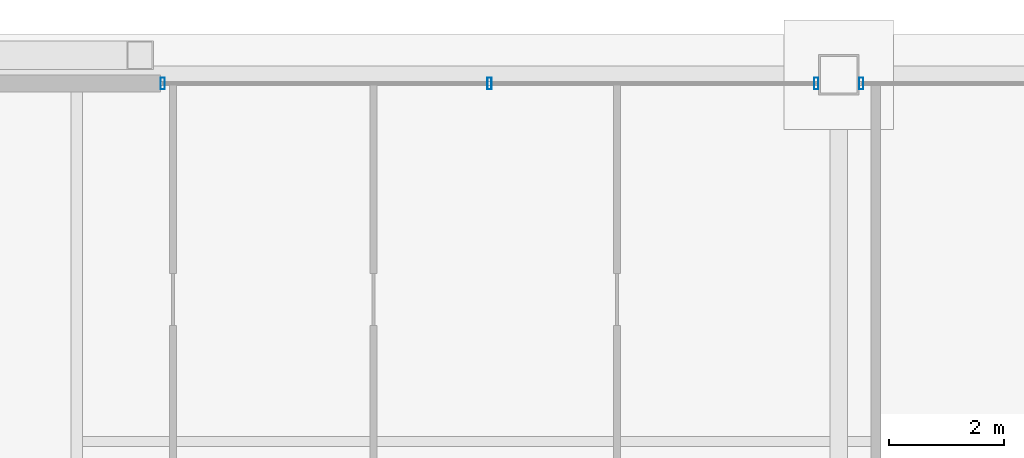
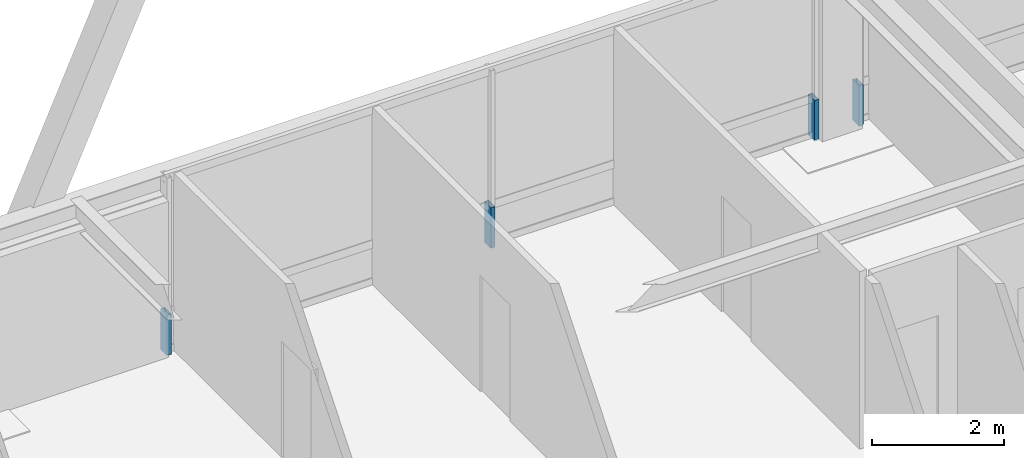
# One storey, part 27 of 35: 4 members, 2 elements without a shape of their own.
"""IFC4 building model written with IfcOpenShell, lengths in metres."""

from ifc_helpers import new_model, si_unit, direction, frame, origin, origin_2d, place, context, subcontext, project, spatial, hollow_rectangle, extrude, source, transform, mapped, material, layer, layer_set, material_profile, profile_set, type_object, element, aggregate, save


model = new_model("IFC4")

# Units and contexts
model_context = context("Model", 3, precision=1e-05, world=origin(), true_north=direction((0.0, 1.0)))
body_context = subcontext(model_context, "Body", "Model", "MODEL_VIEW")
ifc_project = project(units=[si_unit("LENGTHUNIT", "METRE"), si_unit("AREAUNIT", "SQUARE_METRE"), si_unit("VOLUMEUNIT", "CUBIC_METRE"), si_unit("PLANEANGLEUNIT", "RADIAN"), si_unit("MASSUNIT", "GRAM", prefix="KILO"), si_unit("THERMODYNAMICTEMPERATUREUNIT", "KELVIN"), si_unit("POWERUNIT", "WATT")], contexts=[model_context])

# Site, building, storey
site_placement = place(None, origin())
site = spatial("IfcSite", under=ifc_project, at=site_placement, CompositionType="ELEMENT")
building_placement = place(site_placement, origin())
building = spatial("IfcBuilding", under=site, at=building_placement, Name="Yuzanri Waterfront Tower", CompositionType="ELEMENT")
storey_placement = place(building_placement, frame((0.0, 0.0, 285.60009765625)))
storey = spatial("IfcBuildingStorey", under=building, at=storey_placement, Name="L76", CompositionType="ELEMENT", Elevation=285.60009765625)

# Curtain wall, members
ifc_material_1 = material(Name="Anodized Architectural Bronze", Category="metal")
ifc_layer = layer(ifc_material_1, 0.159912109375)
ifc_layer_set = layer_set([ifc_layer], Name="Anodized Architectural Bronze")
curtain_wall_type = type_object("IfcCurtainWallType", Name="Anodized Bronze High-Rise Penthouse High-Wind Unitized Curtain Wall 6900", PredefinedType="NOTDEFINED", material=ifc_layer_set)
curtain_wall_1_placement = place(storey_placement, origin())
curtain_wall_1 = element("IfcCurtainWall", 1, at=curtain_wall_1_placement, inside=storey, type_object=curtain_wall_type, Name="L76 Curtain Wall CW-L76-NL", PredefinedType="NOTDEFINED")
ifc_material_2 = material(Name="Anodized Architectural Bronze", Category="metal")
ifc_material_profile = material_profile(ifc_material_2, hollow_rectangle(XDim=0.074951171875, YDim=0.199951171875, WallThickness=0.00390625, at=origin_2d()), Name="CWM 75x200")
ifc_profile_set = profile_set([ifc_material_profile], Name="Anodized Architectural Bronze")
member_type = type_object("IfcMemberType", Name="Anodized Bronze Primary Curtain-Wall Mullion 75x200", PredefinedType="MULLION", material=ifc_profile_set)
shared_shape = source(origin(), body_context, "Body", "SweptSolid", [
    extrude(hollow_rectangle(XDim=0.074951171875, YDim=0.199951171875, WallThickness=0.00390625, at=origin_2d()), origin(), (0.0, 0.0, 1.0), 0.751953125),
])
member_1_placement = place(storey_placement, frame((25.2900390625, 44.75, 0.0), z_axis=(0.0, 0.0, 1.0), x_axis=(1.0, 0.0, 0.0)))
member_1 = element("IfcMember", 2, at=member_1_placement, type_object=member_type, Name="CW-L76-NL Lower Mullion 00", PredefinedType="MULLION", context=body_context, shape_type="MappedRepresentation", body=[
    mapped(shared_shape, transform((0.0, 0.0, 0.0), scale=1.0)),
])
member_2_placement = place(storey_placement, frame((30.949951171875, 44.75, 0.0), z_axis=(0.0, 0.0, 1.0), x_axis=(1.0, 0.0, 0.0)))
member_2 = element("IfcMember", 3, at=member_2_placement, type_object=member_type, Name="CW-L76-NL Lower Mullion 01", PredefinedType="MULLION", context=body_context, shape_type="MappedRepresentation", body=[
    mapped(shared_shape, transform((0.0, 0.0, 0.0), scale=1.0)),
])
member_3_placement = place(storey_placement, frame((36.610107421875, 44.75, 0.0), z_axis=(0.0, 0.0, 1.0), x_axis=(1.0, 0.0, 0.0)))
member_3 = element("IfcMember", 4, at=member_3_placement, type_object=member_type, Name="CW-L76-NL Lower Mullion 02", PredefinedType="MULLION", context=body_context, shape_type="MappedRepresentation", body=[
    mapped(shared_shape, transform((0.0, 0.0, 0.0), scale=1.0)),
])
aggregate(curtain_wall_1, [member_1, member_2, member_3])

# Curtain wall, member
curtain_wall_2_placement = place(storey_placement, origin())
curtain_wall_2 = element("IfcCurtainWall", 5, at=curtain_wall_2_placement, inside=storey, type_object=curtain_wall_type, Name="L76 Curtain Wall CW-L76-NR", PredefinedType="NOTDEFINED")
member_4_placement = place(storey_placement, frame((37.389892578125, 44.75, 0.0), z_axis=(0.0, 0.0, 1.0), x_axis=(1.0, 0.0, 0.0)))
member_4 = element("IfcMember", 6, at=member_4_placement, type_object=member_type, Name="CW-L76-NR Lower Mullion 00", PredefinedType="MULLION", context=body_context, shape_type="MappedRepresentation", body=[
    mapped(shared_shape, transform((0.0, 0.0, 0.0), scale=1.0)),
])
aggregate(curtain_wall_2, [member_4])

save(model, "model.ifc")
